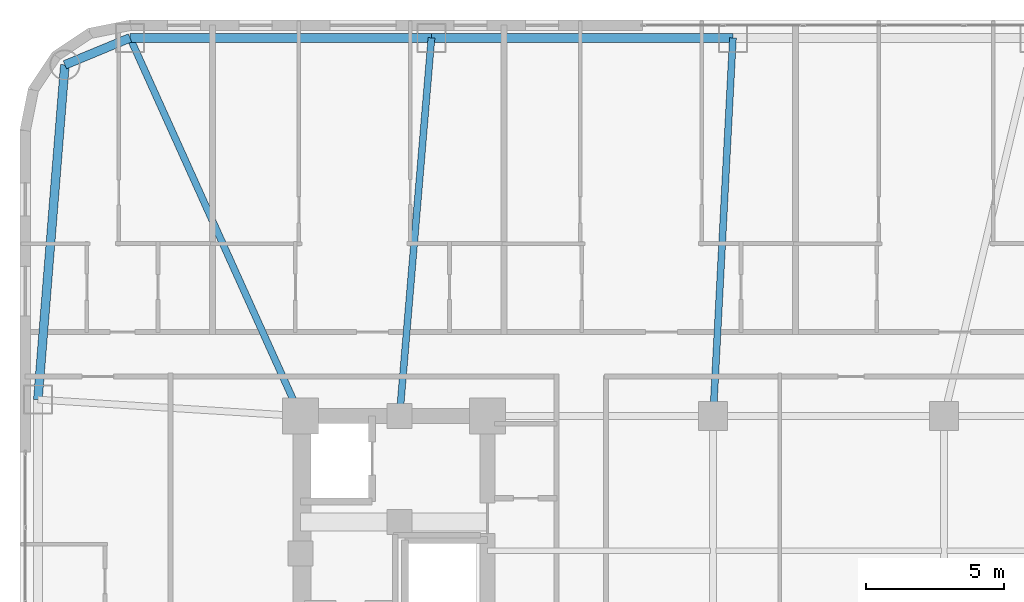
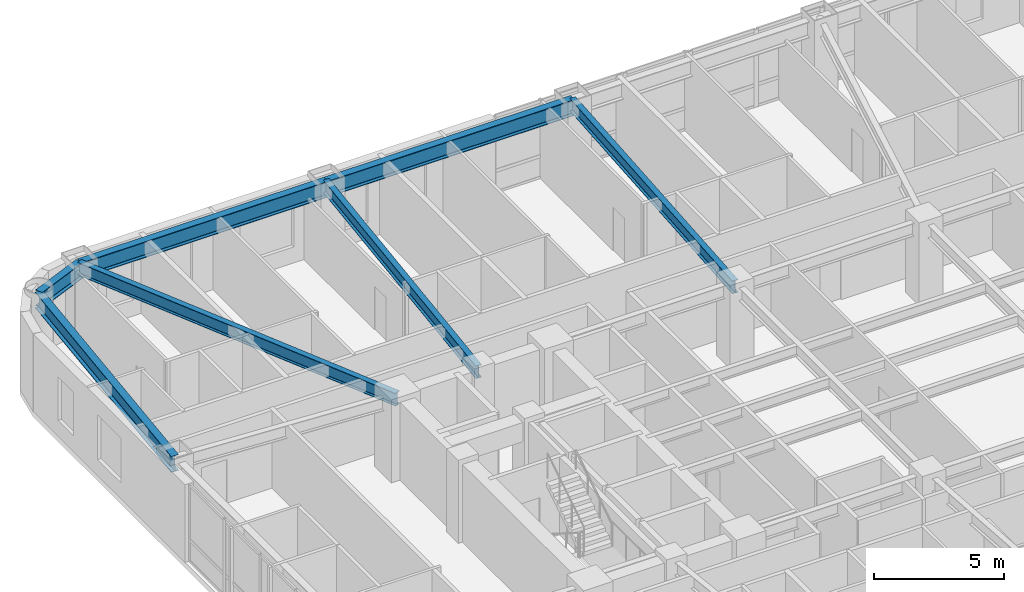
# One storey, part 16 of 28: 7 beams.
"""IFC4 building model written with IfcOpenShell, lengths in metres."""

from ifc_helpers import new_model, si_unit, direction, frame, origin, origin_2d, place, context, subcontext, project, spatial, i_section, extrude, material, material_profile, profile_set, type_object, element, save


model = new_model("IFC4")

# Units and contexts
model_context = context("Model", 3, precision=1e-05, world=origin(), true_north=direction((0.0, 1.0)))
body_context = subcontext(model_context, "Body", "Model", "MODEL_VIEW")
ifc_project = project(units=[si_unit("LENGTHUNIT", "METRE"), si_unit("AREAUNIT", "SQUARE_METRE"), si_unit("VOLUMEUNIT", "CUBIC_METRE"), si_unit("PLANEANGLEUNIT", "RADIAN"), si_unit("MASSUNIT", "GRAM", prefix="KILO")], contexts=[model_context])

# Site, building, storey
site_placement = place(None, origin())
site = spatial("IfcSite", under=ifc_project, at=site_placement, CompositionType="ELEMENT")
building_placement = place(site_placement, origin())
building = spatial("IfcBuilding", under=site, at=building_placement, Name="Voryun Gate Residences", CompositionType="ELEMENT")
storey_placement = place(building_placement, frame((0.0, 0.0, 117.0)))
storey = spatial("IfcBuildingStorey", under=building, at=storey_placement, Name="L28", CompositionType="ELEMENT", Elevation=117.0)

# Beams
ifc_material_1 = material(Name="Steel SM355", Category="steel")
ifc_material_profile_1 = material_profile(ifc_material_1, i_section(OverallWidth=0.320068359375, OverallDepth=0.75, WebThickness=0.01611328125, FlangeThickness=0.028076171875, FilletRadius=0.01806640625, at=origin_2d()), Name="H-750x320x16x28")
ifc_profile_set_1 = profile_set([ifc_material_profile_1], Name="Steel SM355")
beam_type_1 = type_object("IfcBeamType", Name="BM_EXO_SPANDREL_L", PredefinedType="SPANDREL", material=ifc_profile_set_1)
for number, where, z_axis, x_axis, name in (
    (1, (-3.47998046875, 21.14990234375, 3.27490234375), (-1.0, 0.0, 0.0), (0.0, -1.0, 0.0), "BM-L28-SPAND-14"),
    (2, (-14.43994140625, 21.14990234375, 3.27490234375), (-1.0, 0.0, 0.0), (0.0, -1.0, 0.0), "BM-L28-SPAND-15"),
):
    element("IfcBeam", number, at=place(storey_placement, frame(where, z_axis=z_axis, x_axis=x_axis)), inside=storey, type_object=beam_type_1, Name=name, PredefinedType="SPANDREL", context=body_context, shape_type="SweptSolid", body=[
        extrude(i_section(OverallWidth=0.320068359375, OverallDepth=0.75, WebThickness=0.01611328125, FlangeThickness=0.028076171875, FilletRadius=0.01806640625, at=origin_2d()), origin(), (0.0, 0.0, 1.0), 10.9599609375),
    ])
beam_1_placement = place(storey_placement, frame((-25.39990234375, 21.14990234375, 3.27490234375), z_axis=(-0.923883376753, -0.382674151414, 0.0), x_axis=(0.382674151414, -0.923883376753, 0.0)))
element("IfcBeam", 3, at=beam_1_placement, inside=storey, type_object=beam_type_1, Name="BM-L28-SPAND-16", PredefinedType="SPANDREL", context=body_context, shape_type="SweptSolid", body=[
    extrude(i_section(OverallWidth=0.320068359375, OverallDepth=0.75, WebThickness=0.01611328125, FlangeThickness=0.028076171875, FilletRadius=0.01806640625, at=origin_2d()), origin(), (0.0, 0.0, 1.0), 2.56396484375),
])
beam_2_placement = place(storey_placement, frame((-27.768798828125, 20.168701171875, 3.27490234375), z_axis=(-0.080359517973, -0.996765944378, 0.0), x_axis=(0.996765944378, -0.080359517973, 0.0)))
element("IfcBeam", 4, at=beam_2_placement, inside=storey, type_object=beam_type_1, Name="BM-L28-SPAND-17", PredefinedType="SPANDREL", context=body_context, shape_type="SweptSolid", body=[
    extrude(i_section(OverallWidth=0.320068359375, OverallDepth=0.75, WebThickness=0.01611328125, FlangeThickness=0.028076171875, FilletRadius=0.01806640625, at=origin_2d()), origin(), (0.0, 0.0, 1.0), 12.210205078125),
])
ifc_material_2 = material(Name="Steel SM355", Category="steel")
ifc_material_profile_2 = material_profile(ifc_material_2, i_section(OverallWidth=0.25, OverallDepth=0.60009765625, WebThickness=0.011962890625, FlangeThickness=0.02197265625, FilletRadius=0.01806640625, at=origin_2d()), Name="H-600x250x12x22")
ifc_profile_set_2 = profile_set([ifc_material_profile_2], Name="Steel SM355")
beam_type_2 = type_object("IfcBeamType", Name="BM_GIRD_600", PredefinedType="USERDEFINED", material=ifc_profile_set_2)
beam_3_placement = place(storey_placement, frame((-4.199951171875, 7.39990234375, 3.35009765625), z_axis=(0.052289872463, 0.998631948837, 0.0), x_axis=(-0.998631948837, 0.052289872463, 0.0)))
element("IfcBeam", 5, at=beam_3_placement, inside=storey, type_object=beam_type_2, Name="BM-L28-RAD-N4", ObjectType="GIRDER", PredefinedType="USERDEFINED", context=body_context, shape_type="SweptSolid", body=[
    extrude(i_section(OverallWidth=0.25, OverallDepth=0.60009765625, WebThickness=0.011962890625, FlangeThickness=0.02197265625, FilletRadius=0.01806640625, at=origin_2d()), origin(), (0.0, 0.0, 1.0), 13.768798828125),
])
beam_4_placement = place(storey_placement, frame((-15.60009765625, 7.39990234375, 3.35009765625), z_axis=(0.084076255415, 0.996459323442, 0.0), x_axis=(-0.996459323442, 0.084076255415, 0.0)))
element("IfcBeam", 6, at=beam_4_placement, inside=storey, type_object=beam_type_2, Name="BM-L28-RAD-N5", ObjectType="GIRDER", PredefinedType="USERDEFINED", context=body_context, shape_type="SweptSolid", body=[
    extrude(i_section(OverallWidth=0.25, OverallDepth=0.60009765625, WebThickness=0.011962890625, FlangeThickness=0.02197265625, FilletRadius=0.01806640625, at=origin_2d()), origin(), (0.0, 0.0, 1.0), 13.798828125),
])
beam_5_placement = place(storey_placement, frame((-19.199951171875, 7.39990234375, 3.35009765625), z_axis=(-0.411051048554, 0.911612327408, 0.0), x_axis=(-0.911612327408, -0.411051048554, 0.0)))
element("IfcBeam", 7, at=beam_5_placement, inside=storey, type_object=beam_type_2, Name="BM-L28-RAD-N6", ObjectType="GIRDER", PredefinedType="USERDEFINED", context=body_context, shape_type="SweptSolid", body=[
    extrude(i_section(OverallWidth=0.25, OverallDepth=0.60009765625, WebThickness=0.011962890625, FlangeThickness=0.02197265625, FilletRadius=0.01806640625, at=origin_2d()), origin(), (0.0, 0.0, 1.0), 15.083251953125),
])

save(model, "model.ifc")
